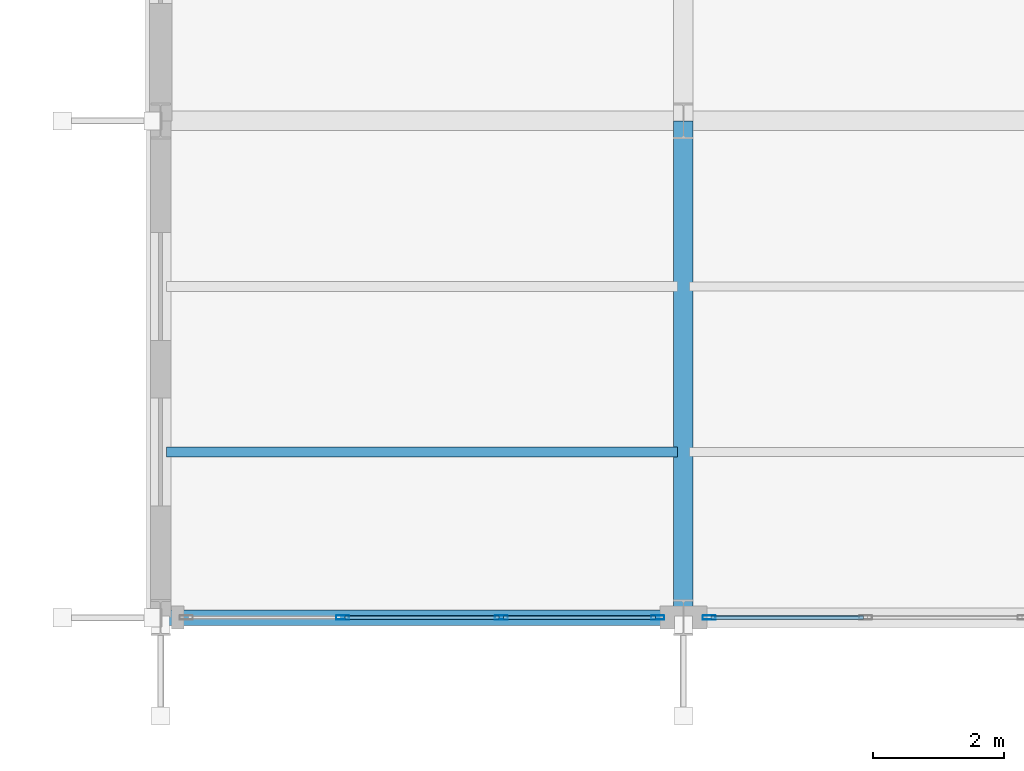
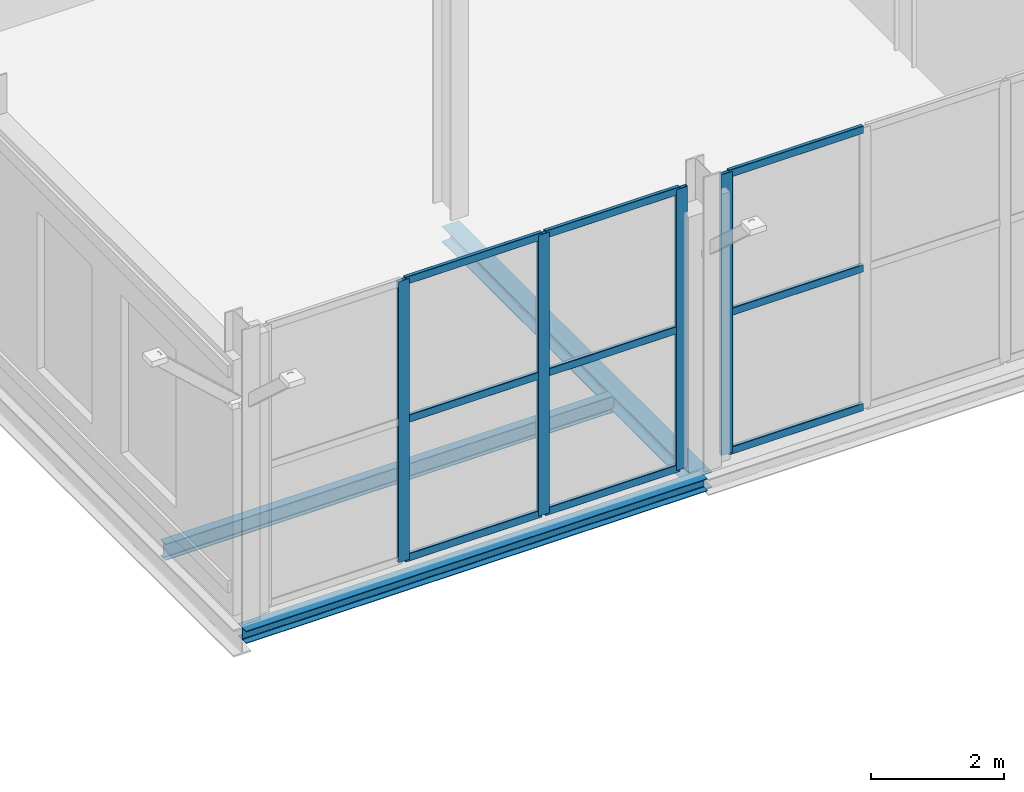
# One storey, part 69 of 147: 13 members, 3 beams, 2 elements without a shape of their own.
"""IFC4 building model written with IfcOpenShell, lengths in metres."""

import ifcopenshell
import ifcopenshell.guid

model = None  # the IFC model being written
_history = None  # IfcOwnerHistory: only IFC2X3 demands one
_inside = {}  # id of a spatial element -> (the spatial element, [elements in it])
_under = {}  # id of a project, library or spatial element -> (it, [spatial elements below it])
_declared = {}  # id of a project -> (the project, [libraries it declares])
_typed = {}  # id of a type object -> (the type object, [elements of that type])
_made_of = {}  # id of a material, layer set ... -> (it, [elements and type objects made of it])


def new_model(schema):
    """Start an empty IFC model of exactly this schema.

    Asked for "IFC4X3", IfcOpenShell would pick the latest addendum, in which some entities
    have other attributes; the version numbers below select the first issue.
    IFC2X3 requires an IfcOwnerHistory on every rooted entity: one is made here for all.
    """
    global model, _history
    if schema == "IFC4X3":
        model = ifcopenshell.file(schema_version=(4, 3, 0, 0))
    else:
        model = ifcopenshell.file(schema=schema)
    _inside.clear()
    _under.clear()
    _declared.clear()
    _typed.clear()
    _made_of.clear()
    _history = None
    if model.schema == "IFC2X3":
        org = make("IfcOrganization", Name="unknown")
        user = make(
            "IfcPersonAndOrganization",
            ThePerson=make("IfcPerson", FamilyName="unknown"),
            TheOrganization=org,
        )
        app = make(
            "IfcApplication",
            ApplicationDeveloper=org,
            Version="unknown",
            ApplicationFullName="unknown",
            ApplicationIdentifier="unknown",
        )
        _history = make(
            "IfcOwnerHistory",
            OwningUser=user,
            OwningApplication=app,
            ChangeAction="ADDED",
            CreationDate=0,
        )
    return model


def make(cls, **values):
    """One entity of the class cls with the attributes given. An attribute that is None is left unset."""
    return model.create_entity(
        cls, **{name: value for name, value in values.items() if value is not None}
    )


def rooted(cls, **values):
    """An entity with a GlobalId (a new one), such as an element, a storey or a relation."""
    return make(cls, GlobalId=ifcopenshell.guid.new(), OwnerHistory=_history, **values)


def si_unit(unit_type, name, prefix=None):
    """IfcSIUnit, for example si_unit("LENGTHUNIT", "METRE", prefix="MILLI")."""
    return make("IfcSIUnit", UnitType=unit_type, Prefix=prefix, Name=name)


def assignment(units):
    """IfcUnitAssignment: the units of a project."""
    return None if units is None else make("IfcUnitAssignment", Units=units)


def point(xyz):
    """IfcCartesianPoint."""
    return None if xyz is None else make("IfcCartesianPoint", Coordinates=xyz)


def direction(xyz):
    """IfcDirection."""
    return None if xyz is None else make("IfcDirection", DirectionRatios=xyz)


def frame(location, z_axis=None, x_axis=None):
    """IfcAxis2Placement3D, a coordinate frame: its origin and axes. An axis left out is left unset."""
    return make(
        "IfcAxis2Placement3D",
        Location=point(location),
        Axis=direction(z_axis),
        RefDirection=direction(x_axis),
    )


def frame_2d(location, x_axis=None):
    """IfcAxis2Placement2D, a coordinate frame in the plane: its origin and x axis."""
    return make(
        "IfcAxis2Placement2D", Location=point(location), RefDirection=direction(x_axis)
    )


def origin():
    """The frame at (0, 0, 0) with its axes left unset."""
    return frame((0.0, 0.0, 0.0))


def origin_2d():
    """The frame at (0, 0) in the plane with its x axis left unset."""
    return frame_2d((0.0, 0.0))


def place(relative_to, where):
    """IfcLocalPlacement: puts the frame where relative to a parent placement (None: the world)."""
    return make(
        "IfcLocalPlacement", PlacementRelTo=relative_to, RelativePlacement=where
    )


def context(
    kind, dimensions, precision=None, world=None, true_north=None, identifier=None
):
    """IfcGeometricRepresentationContext, for example the 3D "Model" context."""
    return make(
        "IfcGeometricRepresentationContext",
        ContextIdentifier=identifier,
        ContextType=kind,
        CoordinateSpaceDimension=dimensions,
        Precision=precision,
        WorldCoordinateSystem=world,
        TrueNorth=true_north,
    )


def subcontext(parent, identifier, kind, view, scale=None):
    """IfcGeometricRepresentationSubContext, for example "Body" below "Model"."""
    return make(
        "IfcGeometricRepresentationSubContext",
        ContextIdentifier=identifier,
        ContextType=kind,
        ParentContext=parent,
        TargetScale=scale,
        TargetView=view,
    )


def project(units=None, contexts=None):
    """IfcProject with its units and contexts."""
    return rooted(
        "IfcProject",
        Name="project",
        RepresentationContexts=contexts,
        UnitsInContext=assignment(units),
    )


def spatial(cls, under=None, at=None, **own):
    """A site, building, storey or space (cls), placed at a placement, below another one or the project."""
    s = rooted(cls, ObjectPlacement=at, **own)
    if under is not None:
        _under.setdefault(under.id(), (under, []))[1].append(s)
    return s


def profile(cls, at=None, kind="AREA", **sizes):
    """A parametric profile (cls). Its sizes go by their IFC names, for example OverallWidth=200.0."""
    return make(cls, ProfileType=kind, Position=at, **sizes)


def hollow_rectangle(**sizes):
    """IfcRectangleHollowProfileDef."""
    return profile("IfcRectangleHollowProfileDef", **sizes)


def i_section(**sizes):
    """IfcIShapeProfileDef."""
    return profile("IfcIShapeProfileDef", **sizes)


def extrude(swept, where, along, depth):
    """IfcExtrudedAreaSolid: the profile swept, set in the frame where, extruded along a direction by depth."""
    return make(
        "IfcExtrudedAreaSolid",
        SweptArea=swept,
        Position=where,
        ExtrudedDirection=direction(along),
        Depth=depth,
    )


def shape(context_of_items, identifier, shape_type, items):
    """IfcShapeRepresentation: the items that make up one representation, for example the "Body"."""
    return make(
        "IfcShapeRepresentation",
        ContextOfItems=context_of_items,
        RepresentationIdentifier=identifier,
        RepresentationType=shape_type,
        Items=items,
    )


def material(Name=None, Category=None):
    """IfcMaterial."""
    return make("IfcMaterial", Name=Name, Category=Category)


def layer(
    of_material, thickness, ventilated=None, Name=None, Category=None, Priority=None
):
    """IfcMaterialLayer: one layer of a wall or slab, of a material (None: an air gap)."""
    return make(
        "IfcMaterialLayer",
        Material=of_material,
        LayerThickness=thickness,
        IsVentilated=ventilated,
        Name=Name,
        Category=Category,
        Priority=Priority,
    )


def layer_set(layers, Name=None):
    """IfcMaterialLayerSet."""
    return make("IfcMaterialLayerSet", MaterialLayers=layers, LayerSetName=Name)


def material_profile(
    of_material, cross_section, Name=None, Category=None, Priority=None
):
    """IfcMaterialProfile: a cross section and its material."""
    return make(
        "IfcMaterialProfile",
        Name=Name,
        Material=of_material,
        Profile=cross_section,
        Priority=Priority,
        Category=Category,
    )


def profile_set(profiles, Name=None, composite=None):
    """IfcMaterialProfileSet."""
    return make(
        "IfcMaterialProfileSet",
        Name=Name,
        MaterialProfiles=profiles,
        CompositeProfile=composite,
    )


def made_of(thing, what):
    """Note that an element or type object is made of a material, layer set ...; save() writes the relation."""
    if what is not None:
        _made_of.setdefault(what.id(), (what, []))[1].append(thing)
    return thing


def type_object(cls, material=None, **own):
    """A type object (cls), such as IfcWallType, which elements share."""
    return made_of(rooted(cls, **own), material)


def element(
    cls,
    number,
    at=None,
    inside=None,
    cuts=None,
    type_object=None,
    material=None,
    context=None,
    identifier="Body",
    shape_type=None,
    held_by="IfcProductDefinitionShape",
    body=None,
    shapes=None,
    **own,
):
    """One element of the class cls, such as IfcWall. Its Tag is "e" and its number.

    at: its placement. inside: the storey or other place that contains it. cuts: it is an
    opening in that element (IfcRelVoidsElement). A single representation is given by context,
    identifier, shape_type and body (its items); several are given by shapes. held_by: the class
    of the entity that holds the representations. save() writes the other relations.
    """
    e = rooted(cls, Tag="e%d" % number, ObjectPlacement=at, **own)
    if body is not None:
        shapes = [shape(context, identifier, shape_type, body)]
    if shapes is not None:
        e.Representation = make(held_by, Representations=shapes)
    if inside is not None:
        _inside.setdefault(inside.id(), (inside, []))[1].append(e)
    if cuts is not None:
        rooted(
            "IfcRelVoidsElement", RelatingBuildingElement=cuts, RelatedOpeningElement=e
        )
    if type_object is not None:
        _typed.setdefault(type_object.id(), (type_object, []))[1].append(e)
    return made_of(e, material)


def aggregate(whole, parts):
    """IfcRelAggregates: a whole, such as a stair, and the parts it consists of."""
    return rooted("IfcRelAggregates", RelatingObject=whole, RelatedObjects=parts)


def save(model, path):
    """Write the relations noted so far, then the file.

    IfcRelAggregates (storeys below a building ...), IfcRelContainedInSpatialStructure (elements
    in a storey), IfcRelDefinesByType, IfcRelAssociatesMaterial and IfcRelDeclares: one each for
    every whole, place, type object, material and project.
    """
    for whole, parts in _under.values():
        aggregate(whole, parts)
    for where, things in _inside.values():
        rooted(
            "IfcRelContainedInSpatialStructure",
            RelatedElements=things,
            RelatingStructure=where,
        )
    for kind, things in _typed.values():
        rooted("IfcRelDefinesByType", RelatedObjects=things, RelatingType=kind)
    for what, things in _made_of.values():
        rooted("IfcRelAssociatesMaterial", RelatedObjects=things, RelatingMaterial=what)
    for by, libraries in _declared.values():
        rooted("IfcRelDeclares", RelatingContext=by, RelatedDefinitions=libraries)
    model.write(path)


model = new_model("IFC4")

# Units and contexts
model_context = context("Model", 3, precision=1e-05, world=origin(), true_north=direction((0.0, 1.0)))
body_context = subcontext(model_context, "Body", "Model", "MODEL_VIEW")
ifc_project = project(units=[si_unit("LENGTHUNIT", "METRE"), si_unit("AREAUNIT", "SQUARE_METRE"), si_unit("VOLUMEUNIT", "CUBIC_METRE"), si_unit("PLANEANGLEUNIT", "RADIAN"), si_unit("MASSUNIT", "GRAM", prefix="KILO")], contexts=[model_context])

# Site, building, storey
site_placement = place(None, origin())
site = spatial("IfcSite", under=ifc_project, at=site_placement, CompositionType="ELEMENT")
building_placement = place(site_placement, origin())
building = spatial("IfcBuilding", under=site, at=building_placement, Name="Vekula Escarpment Museum", CompositionType="ELEMENT")
storey_placement = place(building_placement, frame((0.0, 0.0, 7.800048828125)))
storey = spatial("IfcBuildingStorey", under=building, at=storey_placement, Name="L02", CompositionType="ELEMENT", Elevation=7.800048828125)

# Beams
ifc_material_1 = material(Name="Steel S355", Category="steel")
ifc_material_profile_1 = material_profile(ifc_material_1, i_section(OverallWidth=0.14990234375, OverallDepth=0.300048828125, WebThickness=0.007080078125, FlangeThickness=0.0107421875, FilletRadius=0.014892578125, at=origin_2d()), Name="IPE 300")
ifc_profile_set_1 = profile_set([ifc_material_profile_1], Name="Steel S355")
beam_type_1 = type_object("IfcBeamType", Name="BM-JST-IPE300", PredefinedType="JOIST", material=ifc_profile_set_1)
beam_1_placement = place(storey_placement, frame((78.090087890625, 123.333251953125, -0.41015625), z_axis=(1.0, 0.0, 0.0), x_axis=(0.0, 1.0, 0.0)))
element("IfcBeam", 1, at=beam_1_placement, inside=storey, type_object=beam_type_1, Name="Secondary Joist L02 0751", PredefinedType="JOIST", context=body_context, shape_type="SweptSolid", body=[
    extrude(i_section(OverallWidth=0.14990234375, OverallDepth=0.300048828125, WebThickness=0.007080078125, FlangeThickness=0.0107421875, FilletRadius=0.014892578125, at=origin_2d()), origin(), (0.0, 0.0, 1.0), 7.81982421875),
])
ifc_material_2 = material(Name="Steel S355", Category="steel")
ifc_material_profile_2 = material_profile(ifc_material_2, i_section(OverallWidth=0.239990234375, OverallDepth=0.22998046875, WebThickness=0.007568359375, FlangeThickness=0.011962890625, FilletRadius=0.02099609375, at=origin_2d()), Name="HEA 240")
ifc_profile_set_2 = profile_set([ifc_material_profile_2], Name="Steel S355")
beam_type_2 = type_object("IfcBeamType", Name="BM-SPAN-HEA240", PredefinedType="SPANDREL", material=ifc_profile_set_2)
beam_2_placement = place(storey_placement, frame((78.0, 120.800048828125, -0.375), z_axis=(1.0, 0.0, 0.0), x_axis=(0.0, 1.0, 0.0)))
element("IfcBeam", 2, at=beam_2_placement, inside=storey, type_object=beam_type_2, Name="Beam X L02 0988", PredefinedType="SPANDREL", context=body_context, shape_type="SweptSolid", body=[
    extrude(i_section(OverallWidth=0.239990234375, OverallDepth=0.22998046875, WebThickness=0.007568359375, FlangeThickness=0.011962890625, FilletRadius=0.02099609375, at=origin_2d()), origin(), (0.0, 0.0, 1.0), 8.0),
])
ifc_material_3 = material(Name="Steel S355", Category="steel")
ifc_material_profile_3 = material_profile(ifc_material_3, i_section(OverallWidth=0.300048828125, OverallDepth=0.2900390625, WebThickness=0.008544921875, FlangeThickness=0.013916015625, FilletRadius=0.027099609375, at=origin_2d()), Name="HEA 300")
ifc_profile_set_3 = profile_set([ifc_material_profile_3], Name="Steel S355")
beam_type_3 = type_object("IfcBeamType", Name="BM-SPAN-HEA300", PredefinedType="SPANDREL", material=ifc_profile_set_3)
beam_3_placement = place(storey_placement, frame((86.0, 120.800048828125, -0.405029296875), z_axis=(0.0, 1.0, 0.0), x_axis=(-1.0, 0.0, 0.0)))
element("IfcBeam", 3, at=beam_3_placement, inside=storey, type_object=beam_type_3, Name="Beam Y L02 1150", PredefinedType="SPANDREL", context=body_context, shape_type="SweptSolid", body=[
    extrude(i_section(OverallWidth=0.300048828125, OverallDepth=0.2900390625, WebThickness=0.008544921875, FlangeThickness=0.013916015625, FilletRadius=0.027099609375, at=origin_2d()), origin(), (0.0, 0.0, 1.0), 7.599853515625),
])

# Curtain wall, members
ifc_material_4 = material(Name="Aluminium thermally broken framing", Category="aluminium")
ifc_layer_1 = layer(ifc_material_4, 0.159912109375)
ifc_layer_set_1 = layer_set([ifc_layer_1], Name="Aluminium thermally broken framing")
curtain_wall_type_1 = type_object("IfcCurtainWallType", Name="CW-SYS-05", PredefinedType="NOTDEFINED", material=ifc_layer_set_1)
curtain_wall_1_placement = place(storey_placement, origin())
curtain_wall_1 = element("IfcCurtainWall", 4, at=curtain_wall_1_placement, inside=storey, type_object=curtain_wall_type_1, Name="Curtain Wall CW-L02-085", PredefinedType="NOTDEFINED")
ifc_material_5 = material(Name="Aluminium anodized mullion", Category="aluminium")
ifc_material_profile_4 = material_profile(ifc_material_5, hollow_rectangle(XDim=0.06494140625, YDim=0.199951171875, WallThickness=0.00390625, InnerFilletRadius=0.00390625, OuterFilletRadius=0.008056640625, at=origin_2d()), Name="ALU 200x65x4")
ifc_profile_set_4 = profile_set([ifc_material_profile_4], Name="Aluminium anodized mullion")
member_type_1 = type_object("IfcMemberType", Name="CW-MUL-200", PredefinedType="MULLION", material=ifc_profile_set_4)
member_1_placement = place(storey_placement, frame((80.78662109375, 120.800048828125, 0.0), z_axis=(0.0, 0.0, 1.0), x_axis=(0.0, 1.0, 0.0)))
member_1 = element("IfcMember", 5, at=member_1_placement, type_object=member_type_1, Name="CW-05 mullion 2", PredefinedType="MULLION", context=body_context, shape_type="SweptSolid", body=[
    extrude(hollow_rectangle(XDim=0.06494140625, YDim=0.199951171875, WallThickness=0.00390625, InnerFilletRadius=0.00390625, OuterFilletRadius=0.008056640625, at=origin_2d()), origin(), (0.0, 0.0, 1.0), 5.14990234375),
])
member_2_placement = place(storey_placement, frame((83.21337890625, 120.800048828125, 0.0), z_axis=(0.0, 0.0, 1.0), x_axis=(0.0, 1.0, 0.0)))
member_2 = element("IfcMember", 6, at=member_2_placement, type_object=member_type_1, Name="CW-05 mullion 3", PredefinedType="MULLION", context=body_context, shape_type="SweptSolid", body=[
    extrude(hollow_rectangle(XDim=0.06494140625, YDim=0.199951171875, WallThickness=0.00390625, InnerFilletRadius=0.00390625, OuterFilletRadius=0.008056640625, at=origin_2d()), origin(), (0.0, 0.0, 1.0), 5.14990234375),
])
member_3_placement = place(storey_placement, frame((85.607421875, 120.800048828125, 0.0), z_axis=(0.0, 0.0, 1.0), x_axis=(0.0, 1.0, 0.0)))
member_3 = element("IfcMember", 7, at=member_3_placement, type_object=member_type_1, Name="CW-05 mullion 4", PredefinedType="MULLION", context=body_context, shape_type="SweptSolid", body=[
    extrude(hollow_rectangle(XDim=0.06494140625, YDim=0.199951171875, WallThickness=0.00390625, InnerFilletRadius=0.00390625, OuterFilletRadius=0.008056640625, at=origin_2d()), origin(), (0.0, 0.0, 1.0), 5.14990234375),
])

# Curtain wall, member
ifc_material_6 = material(Name="Aluminium thermally broken framing", Category="aluminium")
ifc_layer_2 = layer(ifc_material_6, 0.139892578125)
ifc_layer_set_2 = layer_set([ifc_layer_2], Name="Aluminium thermally broken framing")
curtain_wall_type_2 = type_object("IfcCurtainWallType", Name="CW-SYS-06", PredefinedType="NOTDEFINED", material=ifc_layer_set_2)
curtain_wall_2_placement = place(storey_placement, origin())
curtain_wall_2 = element("IfcCurtainWall", 8, at=curtain_wall_2_placement, inside=storey, type_object=curtain_wall_type_2, Name="Curtain Wall CW-L02-086", PredefinedType="NOTDEFINED")
member_4_placement = place(storey_placement, frame((86.392578125, 120.800048828125, 0.0), z_axis=(0.0, 0.0, 1.0), x_axis=(0.0, 1.0, 0.0)))
member_4 = element("IfcMember", 9, at=member_4_placement, type_object=member_type_1, Name="CW-06 mullion 1", PredefinedType="MULLION", context=body_context, shape_type="SweptSolid", body=[
    extrude(hollow_rectangle(XDim=0.06494140625, YDim=0.199951171875, WallThickness=0.00390625, InnerFilletRadius=0.00390625, OuterFilletRadius=0.008056640625, at=origin_2d()), origin(), (0.0, 0.0, 1.0), 5.14990234375),
])

# Member
ifc_material_7 = material(Name="Aluminium anodized transom", Category="aluminium")
ifc_material_profile_5 = material_profile(ifc_material_7, hollow_rectangle(XDim=0.06494140625, YDim=0.139892578125, WallThickness=0.00390625, InnerFilletRadius=0.00390625, OuterFilletRadius=0.008056640625, at=origin_2d()), Name="ALU 140x65x4")
ifc_profile_set_5 = profile_set([ifc_material_profile_5], Name="Aluminium anodized transom")
member_type_2 = type_object("IfcMemberType", Name="CW-TRN-140", PredefinedType="USERDEFINED", material=ifc_profile_set_5)
member_5_placement = place(storey_placement, frame((80.819091796875, 120.800048828125, 0.032470703125), z_axis=(1.0, 0.0, 0.0), x_axis=(0.0, 1.0, 0.0)))
member_5 = element("IfcMember", 10, at=member_5_placement, type_object=member_type_2, Name="CW-05 transom 2.1", ObjectType="TRANSOM", PredefinedType="USERDEFINED", context=body_context, shape_type="SweptSolid", body=[
    extrude(hollow_rectangle(XDim=0.06494140625, YDim=0.139892578125, WallThickness=0.00390625, InnerFilletRadius=0.00390625, OuterFilletRadius=0.008056640625, at=origin_2d()), origin(), (0.0, 0.0, 1.0), 2.36181640625),
])

member_6_placement = place(storey_placement, frame((80.819091796875, 120.800048828125, 2.574951171875), z_axis=(1.0, 0.0, 0.0), x_axis=(0.0, 1.0, 0.0)))
member_6 = element("IfcMember", 11, at=member_6_placement, type_object=member_type_2, Name="CW-05 transom 2.2", ObjectType="TRANSOM", PredefinedType="USERDEFINED", context=body_context, shape_type="SweptSolid", body=[
    extrude(hollow_rectangle(XDim=0.06494140625, YDim=0.139892578125, WallThickness=0.00390625, InnerFilletRadius=0.00390625, OuterFilletRadius=0.008056640625, at=origin_2d()), origin(), (0.0, 0.0, 1.0), 2.36181640625),
])

member_7_placement = place(storey_placement, frame((80.819091796875, 120.800048828125, 5.117431640625), z_axis=(1.0, 0.0, 0.0), x_axis=(0.0, 1.0, 0.0)))
member_7 = element("IfcMember", 12, at=member_7_placement, type_object=member_type_2, Name="CW-05 transom 2.3", ObjectType="TRANSOM", PredefinedType="USERDEFINED", context=body_context, shape_type="SweptSolid", body=[
    extrude(hollow_rectangle(XDim=0.06494140625, YDim=0.139892578125, WallThickness=0.00390625, InnerFilletRadius=0.00390625, OuterFilletRadius=0.008056640625, at=origin_2d()), origin(), (0.0, 0.0, 1.0), 2.36181640625),
])

member_8_placement = place(storey_placement, frame((83.245849609375, 120.800048828125, 0.032470703125), z_axis=(1.0, 0.0, 0.0), x_axis=(0.0, 1.0, 0.0)))
member_8 = element("IfcMember", 13, at=member_8_placement, type_object=member_type_2, Name="CW-05 transom 3.1", ObjectType="TRANSOM", PredefinedType="USERDEFINED", context=body_context, shape_type="SweptSolid", body=[
    extrude(hollow_rectangle(XDim=0.06494140625, YDim=0.139892578125, WallThickness=0.00390625, InnerFilletRadius=0.00390625, OuterFilletRadius=0.008056640625, at=origin_2d()), origin(), (0.0, 0.0, 1.0), 2.3291015625),
])

member_9_placement = place(storey_placement, frame((83.245849609375, 120.800048828125, 2.574951171875), z_axis=(1.0, 0.0, 0.0), x_axis=(0.0, 1.0, 0.0)))
member_9 = element("IfcMember", 14, at=member_9_placement, type_object=member_type_2, Name="CW-05 transom 3.2", ObjectType="TRANSOM", PredefinedType="USERDEFINED", context=body_context, shape_type="SweptSolid", body=[
    extrude(hollow_rectangle(XDim=0.06494140625, YDim=0.139892578125, WallThickness=0.00390625, InnerFilletRadius=0.00390625, OuterFilletRadius=0.008056640625, at=origin_2d()), origin(), (0.0, 0.0, 1.0), 2.3291015625),
])

member_10_placement = place(storey_placement, frame((83.245849609375, 120.800048828125, 5.117431640625), z_axis=(1.0, 0.0, 0.0), x_axis=(0.0, 1.0, 0.0)))
member_10 = element("IfcMember", 15, at=member_10_placement, type_object=member_type_2, Name="CW-05 transom 3.3", ObjectType="TRANSOM", PredefinedType="USERDEFINED", context=body_context, shape_type="SweptSolid", body=[
    extrude(hollow_rectangle(XDim=0.06494140625, YDim=0.139892578125, WallThickness=0.00390625, InnerFilletRadius=0.00390625, OuterFilletRadius=0.008056640625, at=origin_2d()), origin(), (0.0, 0.0, 1.0), 2.3291015625),
])

aggregate(curtain_wall_1, [member_1, member_2, member_3, member_5, member_6, member_7, member_8, member_9, member_10])

member_11_placement = place(storey_placement, frame((86.425048828125, 120.800048828125, 0.032470703125), z_axis=(1.0, 0.0, 0.0), x_axis=(0.0, 1.0, 0.0)))
member_11 = element("IfcMember", 16, at=member_11_placement, type_object=member_type_2, Name="CW-06 transom 1.1", ObjectType="TRANSOM", PredefinedType="USERDEFINED", context=body_context, shape_type="SweptSolid", body=[
    extrude(hollow_rectangle(XDim=0.06494140625, YDim=0.139892578125, WallThickness=0.00390625, InnerFilletRadius=0.00390625, OuterFilletRadius=0.008056640625, at=origin_2d()), origin(), (0.0, 0.0, 1.0), 2.3291015625),
])

member_12_placement = place(storey_placement, frame((86.425048828125, 120.800048828125, 2.574951171875), z_axis=(1.0, 0.0, 0.0), x_axis=(0.0, 1.0, 0.0)))
member_12 = element("IfcMember", 17, at=member_12_placement, type_object=member_type_2, Name="CW-06 transom 1.2", ObjectType="TRANSOM", PredefinedType="USERDEFINED", context=body_context, shape_type="SweptSolid", body=[
    extrude(hollow_rectangle(XDim=0.06494140625, YDim=0.139892578125, WallThickness=0.00390625, InnerFilletRadius=0.00390625, OuterFilletRadius=0.008056640625, at=origin_2d()), origin(), (0.0, 0.0, 1.0), 2.3291015625),
])

member_13_placement = place(storey_placement, frame((86.425048828125, 120.800048828125, 5.117431640625), z_axis=(1.0, 0.0, 0.0), x_axis=(0.0, 1.0, 0.0)))
member_13 = element("IfcMember", 18, at=member_13_placement, type_object=member_type_2, Name="CW-06 transom 1.3", ObjectType="TRANSOM", PredefinedType="USERDEFINED", context=body_context, shape_type="SweptSolid", body=[
    extrude(hollow_rectangle(XDim=0.06494140625, YDim=0.139892578125, WallThickness=0.00390625, InnerFilletRadius=0.00390625, OuterFilletRadius=0.008056640625, at=origin_2d()), origin(), (0.0, 0.0, 1.0), 2.3291015625),
])

aggregate(curtain_wall_2, [member_4, member_11, member_12, member_13])

save(model, "model.ifc")
